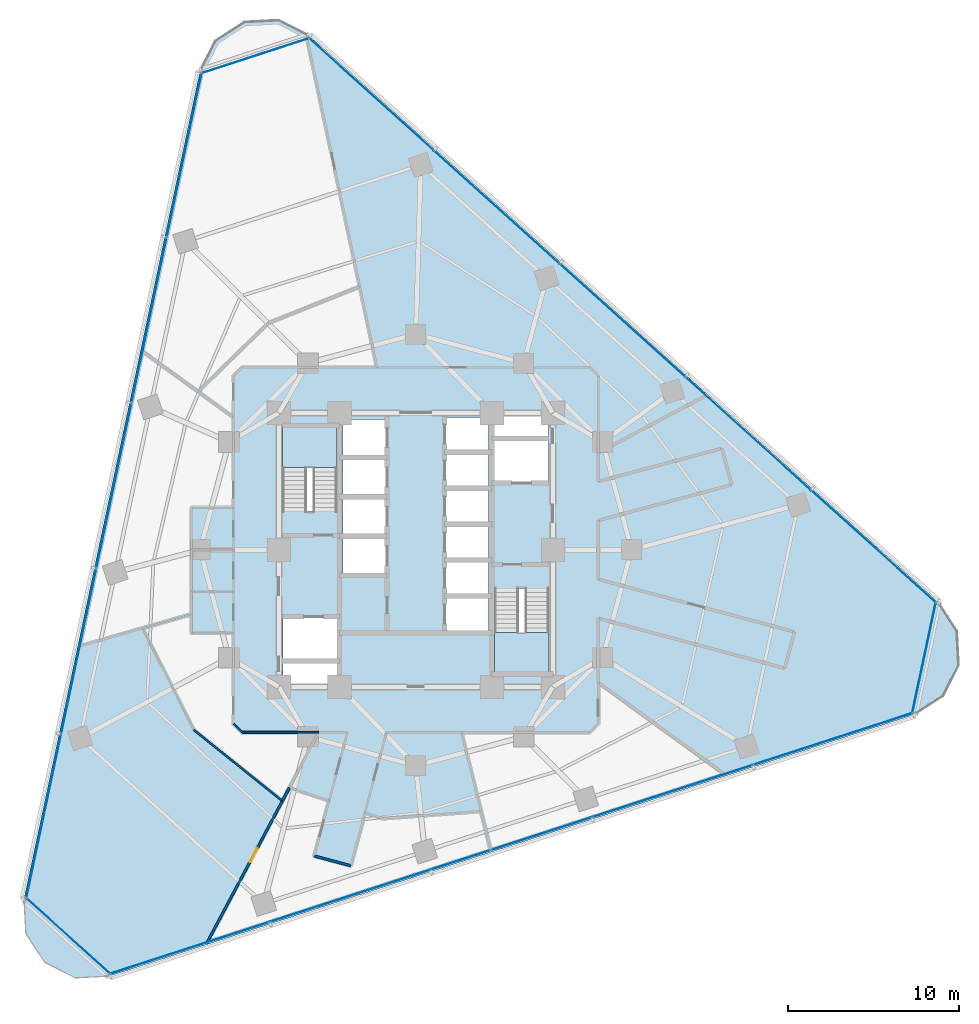
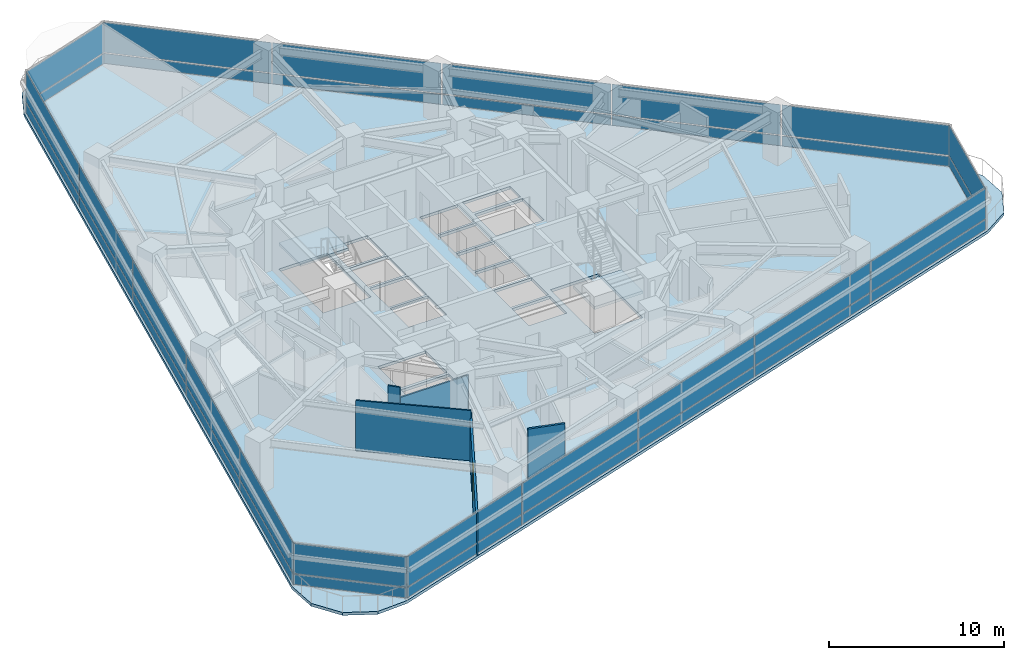
# One storey, part 6 of 13: 36 plates, 6 walls, 3 slabs, 1 door, 1 opening, 8 elements without a shape of their own.
"""IFC4 building model written with IfcOpenShell, lengths in metres."""

from ifc_helpers import new_model, si_unit, direction, frame, frame_2d, origin, origin_2d, place, context, subcontext, project, spatial, polyline, rectangle, outline, extrude, material, layer, layer_set, type_object, element, fill, aggregate, save


model = new_model("IFC4")

# Units and contexts
model_context = context("Model", 3, precision=1e-05, world=origin(), true_north=direction((0.0, 1.0)))
body_context = subcontext(model_context, "Body", "Model", "MODEL_VIEW")
ifc_project = project(units=[si_unit("LENGTHUNIT", "METRE"), si_unit("AREAUNIT", "SQUARE_METRE"), si_unit("VOLUMEUNIT", "CUBIC_METRE"), si_unit("PLANEANGLEUNIT", "RADIAN"), si_unit("MASSUNIT", "GRAM", prefix="KILO")], contexts=[model_context])

# Site, building, storey
site_placement = place(None, origin())
site = spatial("IfcSite", under=ifc_project, at=site_placement, CompositionType="ELEMENT")
building_placement = place(site_placement, origin())
building = spatial("IfcBuilding", under=site, at=building_placement, Name="Terralouvre Media Tower", CompositionType="ELEMENT")
storey_placement = place(building_placement, frame((0.0, 0.0, 90.300048828125)))
storey = spatial("IfcBuildingStorey", under=building, at=storey_placement, Name="L22", CompositionType="ELEMENT", Elevation=90.300048828125)

# Slab
ifc_material_1 = material(Name="Concrete C40/50", Category="concrete")
ifc_layer_1 = layer(ifc_material_1, 0.199951171875, Name="Composite Tower Floor Slab S-TYP200")
ifc_layer_set_1 = layer_set([ifc_layer_1], Name="Concrete C40/50")
slab_type_1 = type_object("IfcSlabType", Name="Composite Tower Floor Slab S-TYP200", PredefinedType="FLOOR", material=ifc_layer_set_1)
slab_1_placement = place(storey_placement, frame((0.0, 0.0, -0.199951171875), z_axis=(0.0, 0.0, 1.0), x_axis=(0.951056516295, 0.309016994375, 0.0)))
element("IfcSlab", 1, at=slab_1_placement, inside=storey, type_object=slab_type_1, Name="L22 Structural Floor Slab", PredefinedType="FLOOR", context=body_context, shape_type="SweptSolid", body=[
    extrude(outline(polyline([(-28.080078125, -12.33203125), (-28.60009765625, -14.272216796875), (-28.080078125, -16.212158203125), (-26.659912109375, -17.63232421875), (-24.719970703125, -18.152099609375), (24.719970703125, -18.152099609375), (26.659912109375, -17.63232421875), (28.080078125, -16.212158203125), (28.60009765625, -14.272216796875), (28.080078125, -12.33203125), (3.360107421875, 30.484130859375), (1.93994140625, 31.904296875), (0.0, 32.424072265625), (-1.93994140625, 31.904296875), (-3.360107421875, 30.484130859375), (-28.080078125, -12.33203125)]), holes=[polyline([(-6.78515625, -5.996826171875), (-9.781005859375, -5.0234375), (-9.41015625, -3.882080078125), (-6.414306640625, -4.85546875), (-6.78515625, -5.996826171875)]), polyline([(-6.3525390625, -4.665283203125), (-9.348388671875, -3.69189453125), (-8.59130859375, -1.36181640625), (-5.595458984375, -2.335205078125), (-6.3525390625, -4.665283203125)]), polyline([(-2.103271484375, -0.809814453125), (-4.480712890625, -0.037109375), (-3.819580078125, 1.998046875), (-1.44189453125, 1.2255859375), (-2.103271484375, -0.809814453125)]), polyline([(-1.392333984375, 1.377685546875), (-3.77001953125, 2.150146484375), (-3.108642578125, 4.185546875), (-0.731201171875, 3.4130859375), (-1.392333984375, 1.377685546875)]), polyline([(4.5302734375, 0.189453125), (2.152587890625, 0.9619140625), (2.752197265625, 2.806884765625), (5.129638671875, 2.034423828125), (4.5302734375, 0.189453125)]), polyline([(-0.681640625, 3.565185546875), (-3.059326171875, 4.337646484375), (-2.39794921875, 6.373046875), (-0.020263671875, 5.600341796875), (-0.681640625, 3.565185546875)]), polyline([(-3.68115234375, 3.556640625), (-6.70556640625, 4.539306640625), (-5.15576171875, 9.308837890625), (-2.13134765625, 8.326171875), (-3.68115234375, 3.556640625)]), polyline([(0.029052734375, 5.752685546875), (-2.3486328125, 6.525146484375), (-1.687255859375, 8.560302734375), (0.6904296875, 7.787841796875), (0.029052734375, 5.752685546875)]), polyline([(3.68115234375, -3.556640625), (6.70556640625, -4.539306640625), (5.15576171875, -9.308837890625), (2.13134765625, -8.326171875), (3.68115234375, -3.556640625)]), polyline([(2.58349609375, -5.80224609375), (0.205810546875, -5.02978515625), (0.80517578125, -3.184814453125), (3.182861328125, -3.957275390625), (2.58349609375, -5.80224609375)]), polyline([(3.232421875, -3.80517578125), (0.854736328125, -3.032470703125), (1.4541015625, -1.1875), (3.831787109375, -1.9599609375), (3.232421875, -3.80517578125)]), polyline([(3.88134765625, -1.807861328125), (1.503662109375, -1.035400390625), (2.103271484375, 0.809814453125), (4.480712890625, 0.037109375), (3.88134765625, -1.807861328125)]), polyline([(5.17919921875, 2.1865234375), (2.801513671875, 2.959228515625), (3.401123046875, 4.80419921875), (5.778564453125, 4.031494140625), (5.17919921875, 2.1865234375)]), polyline([(8.59130859375, 1.36181640625), (5.595458984375, 2.335205078125), (6.3525390625, 4.665283203125), (9.348388671875, 3.69189453125), (8.59130859375, 1.36181640625)]), polyline([(5.828125, 4.183837890625), (3.450439453125, 4.956298828125), (4.050048828125, 6.80126953125), (6.427490234375, 6.02880859375), (5.828125, 4.183837890625)]), polyline([(9.41015625, 3.882080078125), (6.414306640625, 4.85546875), (6.78515625, 5.996826171875), (9.781005859375, 5.0234375), (9.41015625, 3.882080078125)])]), origin(), (0.0, 0.0, 1.0), 0.199951171875),
])

# Stair, slab
ifc_material_2 = material(Name="Concrete C45/55", Category="concrete")
stair_type_1 = type_object("IfcStairType", Name="Dogleg Stair Assembly ST-01", PredefinedType="HALF_TURN_STAIR", material=ifc_material_2)
stair_1_placement = place(storey_placement, origin())
stair_1 = element("IfcStair", 2, at=stair_1_placement, inside=storey, type_object=stair_type_1, Name="L22 Core Pressurised Exit Stair ST-01", PredefinedType="HALF_TURN_STAIR")
ifc_material_3 = material(Name="Concrete C45/55", Category="concrete")
ifc_layer_2 = layer(ifc_material_3, 0.199951171875, Name="Reinforced Concrete Stair Half-Landing SL-LD1")
ifc_layer_set_2 = layer_set([ifc_layer_2], Name="Concrete C45/55")
slab_type_2 = type_object("IfcSlabType", Name="Reinforced Concrete Stair Half-Landing SL-LD1", PredefinedType="LANDING", material=ifc_layer_set_2)
slab_2_placement = place(storey_placement, frame((0.0, 0.0, 1.64990234375)))
slab_2 = element("IfcSlab", 3, at=slab_2_placement, type_object=slab_type_2, Name="ST-01 landing 1", PredefinedType="LANDING", context=body_context, shape_type="SweptSolid", body=[
    extrude(outline(polyline([(-4.60009765625, 4.820068359375), (-4.60009765625, 7.260009765625), (-7.780029296875, 7.260009765625), (-7.780029296875, 4.820068359375), (-4.60009765625, 4.820068359375)])), origin(), (0.0, 0.0, 1.0), 0.199951171875),
])
aggregate(stair_1, [slab_2])

ifc_material_4 = material(Name="Concrete C45/55", Category="concrete")
stair_type_2 = type_object("IfcStairType", Name="Dogleg Stair Assembly ST-02", PredefinedType="HALF_TURN_STAIR", material=ifc_material_4)
stair_2_placement = place(storey_placement, origin())
stair_2 = element("IfcStair", 4, at=stair_2_placement, inside=storey, type_object=stair_type_2, Name="L22 Core Pressurised Exit Stair ST-02", PredefinedType="HALF_TURN_STAIR")
slab_3_placement = place(storey_placement, frame((0.0, 0.0, 1.64990234375)))
slab_3 = element("IfcSlab", 5, at=slab_3_placement, type_object=slab_type_2, Name="ST-02 landing 1", PredefinedType="LANDING", context=body_context, shape_type="SweptSolid", body=[
    extrude(outline(polyline([(4.60009765625, -4.820068359375), (4.60009765625, -7.260009765625), (7.780029296875, -7.260009765625), (7.780029296875, -4.820068359375), (4.60009765625, -4.820068359375)])), origin(), (0.0, 0.0, 1.0), 0.199951171875),
])
aggregate(stair_2, [slab_3])

# Curtain wall, plates
ifc_material_5 = material(Name="Low-iron laminated double glazing with solar-control coating", Category="glass")
ifc_layer_3 = layer(ifc_material_5, 0.1650390625, Name="Rounded Wind-Corner Curved Glazing CW-04")
ifc_layer_set_3 = layer_set([ifc_layer_3], Name="Low-iron laminated double glazing with solar-control coating")
curtain_wall_type_1 = type_object("IfcCurtainWallType", Name="Rounded Wind-Corner Curved Glazing CW-04", PredefinedType="NOTDEFINED", material=ifc_layer_set_3)
curtain_wall_1_placement = place(storey_placement, origin())
curtain_wall_1 = element("IfcCurtainWall", 6, at=curtain_wall_1_placement, inside=storey, type_object=curtain_wall_type_1, Name="L22 Rounded Wind-Corner Curtain Wall C0", PredefinedType="NOTDEFINED")
ifc_material_6 = material(Name="Low-iron laminated double glazing with solar-control coating", Category="glass")
ifc_layer_4 = layer(ifc_material_6, 0.0400390625, Name="Rounded Corner Laminated Vision Panel CWP-03")
ifc_layer_set_4 = layer_set([ifc_layer_4], Name="Low-iron laminated double glazing with solar-control coating")
plate_type_1 = type_object("IfcPlateType", Name="Rounded Corner Laminated Vision Panel CWP-03", PredefinedType="CURTAIN_PANEL", material=ifc_layer_set_4)
plate_1_placement = place(storey_placement, frame((-20.30419921875, -22.550048828125, 0.074951171875), z_axis=(0.0, 0.0, 1.0), x_axis=(0.743144668471, -0.669130780732, 0.0)))
plate_1 = element("IfcPlate", 7, at=plate_1_placement, type_object=plate_type_1, Name="CW-04 panel 1.1", PredefinedType="CURTAIN_PANEL", context=body_context, shape_type="SweptSolid", body=[
    extrude(rectangle(XDim=6.5703125, YDim=0.035888671875, at=origin_2d()), origin(), (0.0, 0.0, 1.0), 0.6875),
])
plate_2_placement = place(storey_placement, frame((-20.30419921875, -22.550048828125, 0.83740234375), z_axis=(0.0, 0.0, 1.0), x_axis=(0.743144668471, -0.669130780732, 0.0)))
plate_2 = element("IfcPlate", 8, at=plate_2_placement, type_object=plate_type_1, Name="CW-04 panel 1.2", PredefinedType="CURTAIN_PANEL", context=body_context, shape_type="SweptSolid", body=[
    extrude(rectangle(XDim=6.5703125, YDim=0.035888671875, at=origin_2d()), origin(), (0.0, 0.0, 1.0), 2.08740234375),
])
aggregate(curtain_wall_1, [plate_1, plate_2])

curtain_wall_2_placement = place(storey_placement, origin())
curtain_wall_2 = element("IfcCurtainWall", 9, at=curtain_wall_2_placement, inside=storey, type_object=curtain_wall_type_1, Name="L22 Rounded Wind-Corner Curtain Wall C1", PredefinedType="NOTDEFINED")
plate_3_placement = place(storey_placement, frame((29.68115234375, -6.308837890625, 0.074951171875), z_axis=(0.0, 0.0, 1.0), x_axis=(0.207911611348, 0.978147617626, 0.0)))
plate_3 = element("IfcPlate", 10, at=plate_3_placement, type_object=plate_type_1, Name="CW-04 panel 1.1", PredefinedType="CURTAIN_PANEL", context=body_context, shape_type="SweptSolid", body=[
    extrude(rectangle(XDim=6.5703125, YDim=0.035888671875, at=origin_2d()), origin(), (0.0, 0.0, 1.0), 0.6875),
])
plate_4_placement = place(storey_placement, frame((29.68115234375, -6.308837890625, 0.83740234375), z_axis=(0.0, 0.0, 1.0), x_axis=(0.207911611348, 0.978147617626, 0.0)))
plate_4 = element("IfcPlate", 11, at=plate_4_placement, type_object=plate_type_1, Name="CW-04 panel 1.2", PredefinedType="CURTAIN_PANEL", context=body_context, shape_type="SweptSolid", body=[
    extrude(rectangle(XDim=6.5703125, YDim=0.035888671875, at=origin_2d()), origin(), (0.0, 0.0, 1.0), 2.08740234375),
])
aggregate(curtain_wall_2, [plate_3, plate_4])

curtain_wall_3_placement = place(storey_placement, origin())
curtain_wall_3 = element("IfcCurtainWall", 12, at=curtain_wall_3_placement, inside=storey, type_object=curtain_wall_type_1, Name="L22 Rounded Wind-Corner Curtain Wall C2", PredefinedType="NOTDEFINED")
plate_5_placement = place(storey_placement, frame((-9.376953125, 28.859130859375, 0.074951171875), z_axis=(0.0, 0.0, 1.0), x_axis=(-0.951056286408, -0.309017701894, 0.0)))
plate_5 = element("IfcPlate", 13, at=plate_5_placement, type_object=plate_type_1, Name="CW-04 panel 1.1", PredefinedType="CURTAIN_PANEL", context=body_context, shape_type="SweptSolid", body=[
    extrude(rectangle(XDim=6.5703125, YDim=0.035888671875, at=origin_2d()), origin(), (0.0, 0.0, 1.0), 0.6875),
])
plate_6_placement = place(storey_placement, frame((-9.376953125, 28.859130859375, 0.83740234375), z_axis=(0.0, 0.0, 1.0), x_axis=(-0.951056286408, -0.309017701894, 0.0)))
plate_6 = element("IfcPlate", 14, at=plate_6_placement, type_object=plate_type_1, Name="CW-04 panel 1.2", PredefinedType="CURTAIN_PANEL", context=body_context, shape_type="SweptSolid", body=[
    extrude(rectangle(XDim=6.5703125, YDim=0.035888671875, at=origin_2d()), origin(), (0.0, 0.0, 1.0), 2.08740234375),
])
aggregate(curtain_wall_3, [plate_5, plate_6])

ifc_material_7 = material(Name="Low-iron laminated double glazing with solar-control coating", Category="glass")
ifc_layer_5 = layer(ifc_material_7, 0.1650390625, Name="Lower Media Tower Unitised Curtain Wall CW-02")
ifc_layer_set_5 = layer_set([ifc_layer_5], Name="Low-iron laminated double glazing with solar-control coating")
curtain_wall_type_2 = type_object("IfcCurtainWallType", Name="Lower Media Tower Unitised Curtain Wall CW-02", PredefinedType="NOTDEFINED", material=ifc_layer_set_5)
curtain_wall_4_placement = place(storey_placement, origin())
curtain_wall_4 = element("IfcCurtainWall", 15, at=curtain_wall_4_placement, inside=storey, type_object=curtain_wall_type_2, Name="L22 Facade Curtain Wall F0", PredefinedType="NOTDEFINED")
ifc_material_8 = material(Name="Low-iron laminated double glazing with solar-control coating", Category="glass")
ifc_layer_6 = layer(ifc_material_8, 0.035888671875, Name="Vision Double-Glazed Unit CWP-01")
ifc_layer_set_6 = layer_set([ifc_layer_6], Name="Low-iron laminated double glazing with solar-control coating")
plate_type_2 = type_object("IfcPlateType", Name="Vision Double-Glazed Unit CWP-01", PredefinedType="CURTAIN_PANEL", material=ifc_layer_set_6)
plate_7_placement = place(storey_placement, frame((-13.218017578125, -23.2548828125, 0.074951171875), z_axis=(0.0, 0.0, 1.0), x_axis=(0.951056509451, 0.309017015439, 0.0)))
plate_7 = element("IfcPlate", 16, at=plate_7_placement, type_object=plate_type_2, Name="CW-02 panel 1.1", PredefinedType="CURTAIN_PANEL", context=body_context, shape_type="SweptSolid", body=[
    extrude(rectangle(XDim=9.775390625, YDim=0.035888671875, at=origin_2d()), origin(), (0.0, 0.0, 1.0), 0.6875),
])
plate_8_placement = place(storey_placement, frame((-13.218017578125, -23.2548828125, 0.83740234375), z_axis=(0.0, 0.0, 1.0), x_axis=(0.951056509451, 0.309017015439, 0.0)))
plate_8 = element("IfcPlate", 17, at=plate_8_placement, type_object=plate_type_2, Name="CW-02 panel 1.2", PredefinedType="CURTAIN_PANEL", context=body_context, shape_type="SweptSolid", body=[
    extrude(rectangle(XDim=9.775390625, YDim=0.035888671875, at=origin_2d()), origin(), (0.0, 0.0, 1.0), 2.08740234375),
])
plate_9_placement = place(storey_placement, frame((-3.831787109375, -20.205078125, 0.074951171875), z_axis=(0.0, 0.0, 1.0), x_axis=(0.951056509451, 0.309017015439, 0.0)))
plate_9 = element("IfcPlate", 18, at=plate_9_placement, type_object=plate_type_2, Name="CW-02 panel 2.1", PredefinedType="CURTAIN_PANEL", context=body_context, shape_type="SweptSolid", body=[
    extrude(rectangle(XDim=9.81298828125, YDim=0.035888671875, at=origin_2d()), origin(), (0.0, 0.0, 1.0), 0.6875),
])
plate_10_placement = place(storey_placement, frame((-3.831787109375, -20.205078125, 0.83740234375), z_axis=(0.0, 0.0, 1.0), x_axis=(0.951056509451, 0.309017015439, 0.0)))
plate_10 = element("IfcPlate", 19, at=plate_10_placement, type_object=plate_type_2, Name="CW-02 panel 2.2", PredefinedType="CURTAIN_PANEL", context=body_context, shape_type="SweptSolid", body=[
    extrude(rectangle(XDim=9.81298828125, YDim=0.035888671875, at=origin_2d()), origin(), (0.0, 0.0, 1.0), 2.08740234375),
])
plate_11_placement = place(storey_placement, frame((5.572265625, -17.149658203125, 0.074951171875), z_axis=(0.0, 0.0, 1.0), x_axis=(0.951056509451, 0.309017015439, 0.0)))
plate_11 = element("IfcPlate", 20, at=plate_11_placement, type_object=plate_type_2, Name="CW-02 panel 3.1", PredefinedType="CURTAIN_PANEL", context=body_context, shape_type="SweptSolid", body=[
    extrude(rectangle(XDim=9.81298828125, YDim=0.035888671875, at=origin_2d()), origin(), (0.0, 0.0, 1.0), 0.6875),
])
plate_12_placement = place(storey_placement, frame((5.572265625, -17.149658203125, 0.83740234375), z_axis=(0.0, 0.0, 1.0), x_axis=(0.951056509451, 0.309017015439, 0.0)))
plate_12 = element("IfcPlate", 21, at=plate_12_placement, type_object=plate_type_2, Name="CW-02 panel 3.2", PredefinedType="CURTAIN_PANEL", context=body_context, shape_type="SweptSolid", body=[
    extrude(rectangle(XDim=9.81298828125, YDim=0.035888671875, at=origin_2d()), origin(), (0.0, 0.0, 1.0), 2.08740234375),
])
plate_13_placement = place(storey_placement, frame((14.976318359375, -14.093994140625, 0.074951171875), z_axis=(0.0, 0.0, 1.0), x_axis=(0.951056509451, 0.309017015439, 0.0)))
plate_13 = element("IfcPlate", 22, at=plate_13_placement, type_object=plate_type_2, Name="CW-02 panel 4.1", PredefinedType="CURTAIN_PANEL", context=body_context, shape_type="SweptSolid", body=[
    extrude(rectangle(XDim=9.81298828125, YDim=0.035888671875, at=origin_2d()), origin(), (0.0, 0.0, 1.0), 0.6875),
])
plate_14_placement = place(storey_placement, frame((14.976318359375, -14.093994140625, 0.83740234375), z_axis=(0.0, 0.0, 1.0), x_axis=(0.951056509451, 0.309017015439, 0.0)))
plate_14 = element("IfcPlate", 23, at=plate_14_placement, type_object=plate_type_2, Name="CW-02 panel 4.2", PredefinedType="CURTAIN_PANEL", context=body_context, shape_type="SweptSolid", body=[
    extrude(rectangle(XDim=9.81298828125, YDim=0.035888671875, at=origin_2d()), origin(), (0.0, 0.0, 1.0), 2.08740234375),
])
plate_15_placement = place(storey_placement, frame((24.362548828125, -11.044189453125, 0.074951171875), z_axis=(0.0, 0.0, 1.0), x_axis=(0.951056509451, 0.309017015439, 0.0)))
plate_15 = element("IfcPlate", 24, at=plate_15_placement, type_object=plate_type_2, Name="CW-02 panel 5.1", PredefinedType="CURTAIN_PANEL", context=body_context, shape_type="SweptSolid", body=[
    extrude(rectangle(XDim=9.775390625, YDim=0.035888671875, at=origin_2d()), origin(), (0.0, 0.0, 1.0), 0.6875),
])
plate_16_placement = place(storey_placement, frame((24.362548828125, -11.044189453125, 0.83740234375), z_axis=(0.0, 0.0, 1.0), x_axis=(0.951056509451, 0.309017015439, 0.0)))
plate_16 = element("IfcPlate", 25, at=plate_16_placement, type_object=plate_type_2, Name="CW-02 panel 5.2", PredefinedType="CURTAIN_PANEL", context=body_context, shape_type="SweptSolid", body=[
    extrude(rectangle(XDim=9.775390625, YDim=0.035888671875, at=origin_2d()), origin(), (0.0, 0.0, 1.0), 2.08740234375),
])
aggregate(curtain_wall_4, [plate_7, plate_8, plate_9, plate_10, plate_11, plate_12, plate_13, plate_14, plate_15, plate_16])

curtain_wall_5_placement = place(storey_placement, origin())
curtain_wall_5 = element("IfcCurtainWall", 26, at=curtain_wall_5_placement, inside=storey, type_object=curtain_wall_type_2, Name="L22 Facade Curtain Wall F1", PredefinedType="NOTDEFINED")
plate_17_placement = place(storey_placement, frame((26.748291015625, 0.18017578125, 0.074951171875), z_axis=(0.0, 0.0, 1.0), x_axis=(-0.743144795545, 0.669130639602, 0.0)))
plate_17 = element("IfcPlate", 27, at=plate_17_placement, type_object=plate_type_2, Name="CW-02 panel 1.1", PredefinedType="CURTAIN_PANEL", context=body_context, shape_type="SweptSolid", body=[
    extrude(rectangle(XDim=9.775390625, YDim=0.035888671875, at=origin_2d()), origin(), (0.0, 0.0, 1.0), 0.6875),
])
plate_18_placement = place(storey_placement, frame((26.748291015625, 0.18017578125, 0.83740234375), z_axis=(0.0, 0.0, 1.0), x_axis=(-0.743144795545, 0.669130639602, 0.0)))
plate_18 = element("IfcPlate", 28, at=plate_18_placement, type_object=plate_type_2, Name="CW-02 panel 1.2", PredefinedType="CURTAIN_PANEL", context=body_context, shape_type="SweptSolid", body=[
    extrude(rectangle(XDim=9.775390625, YDim=0.035888671875, at=origin_2d()), origin(), (0.0, 0.0, 1.0), 2.08740234375),
])
plate_19_placement = place(storey_placement, frame((19.4140625, 6.7841796875, 0.074951171875), z_axis=(0.0, 0.0, 1.0), x_axis=(-0.743144795545, 0.669130639602, 0.0)))
plate_19 = element("IfcPlate", 29, at=plate_19_placement, type_object=plate_type_2, Name="CW-02 panel 2.1", PredefinedType="CURTAIN_PANEL", context=body_context, shape_type="SweptSolid", body=[
    extrude(rectangle(XDim=9.81298828125, YDim=0.035888671875, at=origin_2d()), origin(), (0.0, 0.0, 1.0), 0.6875),
])
plate_20_placement = place(storey_placement, frame((19.4140625, 6.7841796875, 0.83740234375), z_axis=(0.0, 0.0, 1.0), x_axis=(-0.743144795545, 0.669130639602, 0.0)))
plate_20 = element("IfcPlate", 30, at=plate_20_placement, type_object=plate_type_2, Name="CW-02 panel 2.2", PredefinedType="CURTAIN_PANEL", context=body_context, shape_type="SweptSolid", body=[
    extrude(rectangle(XDim=9.81298828125, YDim=0.035888671875, at=origin_2d()), origin(), (0.0, 0.0, 1.0), 2.08740234375),
])
plate_21_placement = place(storey_placement, frame((12.06591796875, 13.400390625, 0.074951171875), z_axis=(0.0, 0.0, 1.0), x_axis=(-0.743144795545, 0.669130639602, 0.0)))
plate_21 = element("IfcPlate", 31, at=plate_21_placement, type_object=plate_type_2, Name="CW-02 panel 3.1", PredefinedType="CURTAIN_PANEL", context=body_context, shape_type="SweptSolid", body=[
    extrude(rectangle(XDim=9.81298828125, YDim=0.035888671875, at=origin_2d()), origin(), (0.0, 0.0, 1.0), 0.6875),
])
plate_22_placement = place(storey_placement, frame((12.06591796875, 13.400390625, 0.83740234375), z_axis=(0.0, 0.0, 1.0), x_axis=(-0.743144795545, 0.669130639602, 0.0)))
plate_22 = element("IfcPlate", 32, at=plate_22_placement, type_object=plate_type_2, Name="CW-02 panel 3.2", PredefinedType="CURTAIN_PANEL", context=body_context, shape_type="SweptSolid", body=[
    extrude(rectangle(XDim=9.81298828125, YDim=0.035888671875, at=origin_2d()), origin(), (0.0, 0.0, 1.0), 2.08740234375),
])
plate_23_placement = place(storey_placement, frame((4.717529296875, 20.016845703125, 0.074951171875), z_axis=(0.0, 0.0, 1.0), x_axis=(-0.743144795545, 0.669130639602, 0.0)))
plate_23 = element("IfcPlate", 33, at=plate_23_placement, type_object=plate_type_2, Name="CW-02 panel 4.1", PredefinedType="CURTAIN_PANEL", context=body_context, shape_type="SweptSolid", body=[
    extrude(rectangle(XDim=9.81298828125, YDim=0.035888671875, at=origin_2d()), origin(), (0.0, 0.0, 1.0), 0.6875),
])
plate_24_placement = place(storey_placement, frame((4.717529296875, 20.016845703125, 0.83740234375), z_axis=(0.0, 0.0, 1.0), x_axis=(-0.743144795545, 0.669130639602, 0.0)))
plate_24 = element("IfcPlate", 34, at=plate_24_placement, type_object=plate_type_2, Name="CW-02 panel 4.2", PredefinedType="CURTAIN_PANEL", context=body_context, shape_type="SweptSolid", body=[
    extrude(rectangle(XDim=9.81298828125, YDim=0.035888671875, at=origin_2d()), origin(), (0.0, 0.0, 1.0), 2.08740234375),
])
plate_25_placement = place(storey_placement, frame((-2.61669921875, 26.62060546875, 0.074951171875), z_axis=(0.0, 0.0, 1.0), x_axis=(-0.743144795545, 0.669130639602, 0.0)))
plate_25 = element("IfcPlate", 35, at=plate_25_placement, type_object=plate_type_2, Name="CW-02 panel 5.1", PredefinedType="CURTAIN_PANEL", context=body_context, shape_type="SweptSolid", body=[
    extrude(rectangle(XDim=9.775390625, YDim=0.035888671875, at=origin_2d()), origin(), (0.0, 0.0, 1.0), 0.6875),
])
plate_26_placement = place(storey_placement, frame((-2.61669921875, 26.62060546875, 0.83740234375), z_axis=(0.0, 0.0, 1.0), x_axis=(-0.743144795545, 0.669130639602, 0.0)))
plate_26 = element("IfcPlate", 36, at=plate_26_placement, type_object=plate_type_2, Name="CW-02 panel 5.2", PredefinedType="CURTAIN_PANEL", context=body_context, shape_type="SweptSolid", body=[
    extrude(rectangle(XDim=9.775390625, YDim=0.035888671875, at=origin_2d()), origin(), (0.0, 0.0, 1.0), 2.08740234375),
])
aggregate(curtain_wall_5, [plate_17, plate_18, plate_19, plate_20, plate_21, plate_22, plate_23, plate_24, plate_25, plate_26])

curtain_wall_6_placement = place(storey_placement, origin())
curtain_wall_6 = element("IfcCurtainWall", 37, at=curtain_wall_6_placement, inside=storey, type_object=curtain_wall_type_2, Name="L22 Facade Curtain Wall F2", PredefinedType="NOTDEFINED")
plate_27_placement = place(storey_placement, frame((-13.5302734375, 23.07470703125, 0.074951171875), z_axis=(0.0, 0.0, 1.0), x_axis=(-0.207911643887, -0.978147610709, 0.0)))
plate_27 = element("IfcPlate", 38, at=plate_27_placement, type_object=plate_type_2, Name="CW-02 panel 1.1", PredefinedType="CURTAIN_PANEL", context=body_context, shape_type="SweptSolid", body=[
    extrude(rectangle(XDim=9.775390625, YDim=0.035888671875, at=origin_2d()), origin(), (0.0, 0.0, 1.0), 0.6875),
])
plate_28_placement = place(storey_placement, frame((-13.5302734375, 23.07470703125, 0.83740234375), z_axis=(0.0, 0.0, 1.0), x_axis=(-0.207911643887, -0.978147610709, 0.0)))
plate_28 = element("IfcPlate", 39, at=plate_28_placement, type_object=plate_type_2, Name="CW-02 panel 1.2", PredefinedType="CURTAIN_PANEL", context=body_context, shape_type="SweptSolid", body=[
    extrude(rectangle(XDim=9.775390625, YDim=0.035888671875, at=origin_2d()), origin(), (0.0, 0.0, 1.0), 2.08740234375),
])
plate_29_placement = place(storey_placement, frame((-15.582275390625, 13.4208984375, 0.074951171875), z_axis=(0.0, 0.0, 1.0), x_axis=(-0.207911643887, -0.978147610709, 0.0)))
plate_29 = element("IfcPlate", 40, at=plate_29_placement, type_object=plate_type_2, Name="CW-02 panel 2.1", PredefinedType="CURTAIN_PANEL", context=body_context, shape_type="SweptSolid", body=[
    extrude(rectangle(XDim=9.81298828125, YDim=0.035888671875, at=origin_2d()), origin(), (0.0, 0.0, 1.0), 0.6875),
])
plate_30_placement = place(storey_placement, frame((-15.582275390625, 13.4208984375, 0.83740234375), z_axis=(0.0, 0.0, 1.0), x_axis=(-0.207911643887, -0.978147610709, 0.0)))
plate_30 = element("IfcPlate", 41, at=plate_30_placement, type_object=plate_type_2, Name="CW-02 panel 2.2", PredefinedType="CURTAIN_PANEL", context=body_context, shape_type="SweptSolid", body=[
    extrude(rectangle(XDim=9.81298828125, YDim=0.035888671875, at=origin_2d()), origin(), (0.0, 0.0, 1.0), 2.08740234375),
])
plate_31_placement = place(storey_placement, frame((-17.637939453125, 3.7490234375, 0.074951171875), z_axis=(0.0, 0.0, 1.0), x_axis=(-0.207911643887, -0.978147610709, 0.0)))
plate_31 = element("IfcPlate", 42, at=plate_31_placement, type_object=plate_type_2, Name="CW-02 panel 3.1", PredefinedType="CURTAIN_PANEL", context=body_context, shape_type="SweptSolid", body=[
    extrude(rectangle(XDim=9.81298828125, YDim=0.035888671875, at=origin_2d()), origin(), (0.0, 0.0, 1.0), 0.6875),
])
plate_32_placement = place(storey_placement, frame((-17.637939453125, 3.7490234375, 0.83740234375), z_axis=(0.0, 0.0, 1.0), x_axis=(-0.207911643887, -0.978147610709, 0.0)))
plate_32 = element("IfcPlate", 43, at=plate_32_placement, type_object=plate_type_2, Name="CW-02 panel 3.2", PredefinedType="CURTAIN_PANEL", context=body_context, shape_type="SweptSolid", body=[
    extrude(rectangle(XDim=9.81298828125, YDim=0.035888671875, at=origin_2d()), origin(), (0.0, 0.0, 1.0), 2.08740234375),
])
plate_33_placement = place(storey_placement, frame((-19.69384765625, -5.9228515625, 0.074951171875), z_axis=(0.0, 0.0, 1.0), x_axis=(-0.207911643887, -0.978147610709, 0.0)))
plate_33 = element("IfcPlate", 44, at=plate_33_placement, type_object=plate_type_2, Name="CW-02 panel 4.1", PredefinedType="CURTAIN_PANEL", context=body_context, shape_type="SweptSolid", body=[
    extrude(rectangle(XDim=9.81298828125, YDim=0.035888671875, at=origin_2d()), origin(), (0.0, 0.0, 1.0), 0.6875),
])
plate_34_placement = place(storey_placement, frame((-19.69384765625, -5.9228515625, 0.83740234375), z_axis=(0.0, 0.0, 1.0), x_axis=(-0.207911643887, -0.978147610709, 0.0)))
plate_34 = element("IfcPlate", 45, at=plate_34_placement, type_object=plate_type_2, Name="CW-02 panel 4.2", PredefinedType="CURTAIN_PANEL", context=body_context, shape_type="SweptSolid", body=[
    extrude(rectangle(XDim=9.81298828125, YDim=0.035888671875, at=origin_2d()), origin(), (0.0, 0.0, 1.0), 2.08740234375),
])
plate_35_placement = place(storey_placement, frame((-21.745849609375, -15.576416015625, 0.074951171875), z_axis=(0.0, 0.0, 1.0), x_axis=(-0.207911643887, -0.978147610709, 0.0)))
plate_35 = element("IfcPlate", 46, at=plate_35_placement, type_object=plate_type_2, Name="CW-02 panel 5.1", PredefinedType="CURTAIN_PANEL", context=body_context, shape_type="SweptSolid", body=[
    extrude(rectangle(XDim=9.775390625, YDim=0.035888671875, at=origin_2d()), origin(), (0.0, 0.0, 1.0), 0.6875),
])
plate_36_placement = place(storey_placement, frame((-21.745849609375, -15.576416015625, 0.83740234375), z_axis=(0.0, 0.0, 1.0), x_axis=(-0.207911643887, -0.978147610709, 0.0)))
plate_36 = element("IfcPlate", 47, at=plate_36_placement, type_object=plate_type_2, Name="CW-02 panel 5.2", PredefinedType="CURTAIN_PANEL", context=body_context, shape_type="SweptSolid", body=[
    extrude(rectangle(XDim=9.775390625, YDim=0.035888671875, at=origin_2d()), origin(), (0.0, 0.0, 1.0), 2.08740234375),
])
aggregate(curtain_wall_6, [plate_27, plate_28, plate_29, plate_30, plate_31, plate_32, plate_33, plate_34, plate_35, plate_36])

# Walls
ifc_material_9 = material(Name="Low-iron laminated double glazing with solar-control coating", Category="glass")
ifc_layer_7 = layer(ifc_material_9, 0.10009765625, Name="Demountable Glazed Office Partition PT-GL100")
ifc_layer_set_7 = layer_set([ifc_layer_7], Name="Low-iron laminated double glazing with solar-control coating")
wall_type_1 = type_object("IfcWallType", Name="Demountable Glazed Office Partition PT-GL100", PredefinedType="MOVABLE", material=ifc_layer_set_7)
wall_1_placement = place(storey_placement, frame((-10.64990234375, -10.14990234375, 0.0), z_axis=(0.0, 0.0, 1.0), x_axis=(0.707106781187, -0.707106781187, 0.0)))
element("IfcWall", 48, at=wall_1_placement, inside=storey, type_object=wall_type_1, Name="L22 Interior Partition 020", PredefinedType="MOVABLE", context=body_context, shape_type="SweptSolid", body=[
    extrude(rectangle(XDim=0.70703125, YDim=0.10009765625, at=frame_2d((0.353515625, 0.0))), origin(), (0.0, 0.0, 1.0), 3.5),
])
wall_2_placement = place(storey_placement, frame((-10.14990234375, -10.64990234375, 0.0), z_axis=(0.0, 0.0, 1.0), x_axis=(1.0, 0.0, 0.0)))
element("IfcWall", 49, at=wall_2_placement, inside=storey, type_object=wall_type_1, Name="L22 Interior Partition 021", PredefinedType="MOVABLE", context=body_context, shape_type="SweptSolid", body=[
    extrude(rectangle(XDim=4.48681640625, YDim=0.10009765625, at=frame_2d((2.243408203125, 0.0))), origin(), (0.0, 0.0, 1.0), 2.784912109375),
])
wall_3_placement = place(storey_placement, frame((-12.97802734375, -10.510009765625, 0.0), z_axis=(0.0, 0.0, 1.0), x_axis=(0.779852762203, -0.625962993543, 0.0)))
element("IfcWall", 50, at=wall_3_placement, inside=storey, type_object=wall_type_1, Name="L22 Interior Partition 050", PredefinedType="MOVABLE", context=body_context, shape_type="SweptSolid", body=[
    extrude(rectangle(XDim=6.640869140625, YDim=0.10009765625, at=frame_2d((3.3203125, 0.0))), origin(), (0.0, 0.0, 1.0), 3.5),
])
ifc_material_10 = material(Name="Fire-rated gypsum board drywall partition")
ifc_layer_8 = layer(ifc_material_10, 0.135009765625, Name="Newsroom Acoustic Partition PT-135")
ifc_layer_set_8 = layer_set([ifc_layer_8], Name="Fire-rated gypsum board drywall partition")
wall_type_2 = type_object("IfcWallType", Name="Newsroom Acoustic Partition PT-135", PredefinedType="PARTITIONING", material=ifc_layer_set_8)
wall_4_placement = place(storey_placement, frame((-5.927978515625, -17.875, 0.0), z_axis=(0.0, 0.0, 1.0), x_axis=(0.965959937537, -0.258691706618, 0.0)))
element("IfcWall", 51, at=wall_4_placement, inside=storey, type_object=wall_type_2, Name="L22 Interior Partition 013", PredefinedType="PARTITIONING", context=body_context, shape_type="SweptSolid", body=[
    extrude(rectangle(XDim=2.199951171875, YDim=0.135009765625, at=frame_2d((1.10009765625, 0.0))), origin(), (0.0, 0.0, 1.0), 3.5),
])
wall_5_placement = place(storey_placement, frame((-7.382080078125, -13.883056640625, 0.0), z_axis=(0.0, 0.0, 1.0), x_axis=(-0.469617532863, -0.882869963714, 0.0)))
element("IfcWall", 52, at=wall_5_placement, inside=storey, type_object=wall_type_2, Name="L22 Interior Partition 039", PredefinedType="PARTITIONING", context=body_context, shape_type="SweptSolid", body=[
    extrude(rectangle(XDim=0.887939453125, YDim=0.135009765625, at=frame_2d((0.44384765625, 0.0))), origin(), (0.0, 0.0, 1.0), 2.784912109375),
])

# Wall, opening, door
wall_6_placement = place(storey_placement, frame((-7.799072265625, -14.6669921875, 0.0), z_axis=(0.0, 0.0, 1.0), x_axis=(-0.469441180524, -0.882963746723, 0.0)))
wall_6 = element("IfcWall", 53, at=wall_6_placement, inside=storey, type_object=wall_type_2, Name="L22 Interior Partition 040", PredefinedType="PARTITIONING", context=body_context, shape_type="SweptSolid", body=[
    extrude(rectangle(XDim=9.404296875, YDim=0.135009765625, at=frame_2d((4.7021484375, 0.0))), origin(), (0.0, 0.0, 1.0), 2.93505859375),
])
opening_placement = place(wall_6_placement, frame((3.11376953125, 0.0, 0.0)))
opening = element("IfcOpeningElement", 54, at=opening_placement, cuts=wall_6, Name="Opening ID-03-92X210", PredefinedType="OPENING", context=body_context, shape_type="SweptSolid", body=[
    extrude(rectangle(XDim=0.919921875, YDim=2.10009765625, at=frame_2d((0.4599609375, 1.050048828125))), frame((0.0, 0.077392578125, 0.0), z_axis=(0.0, -1.0, 0.0), x_axis=(1.0, 0.0, 0.0)), (0.0, 0.0, 1.0), 0.155029296875),
])
ifc_material_11 = material(Name="Engineered hardwood acoustic timber leaf", Category="wood")
door_type = type_object("IfcDoorType", Name="Accessible Restroom and Suite Door ID-03 (920x2100)", OperationType="NOTDEFINED", PredefinedType="DOOR", material=ifc_material_11)
door_placement = place(opening_placement, origin())
door = element("IfcDoor", 55, at=door_placement, inside=storey, type_object=door_type, Name="L22 Media Ingest Storage 6 Door", OperationType="SINGLE_SWING_RIGHT", OverallHeight=2.10009765625, OverallWidth=0.919921875, PredefinedType="DOOR", context=body_context, shape_type="SweptSolid", body=[
    extrude(rectangle(XDim=0.919921875, YDim=2.10009765625, at=frame_2d((0.4599609375, 1.050048828125))), frame((0.0, 0.02490234375, 0.0), z_axis=(0.0, -1.0, 0.0), x_axis=(1.0, 0.0, 0.0)), (0.0, 0.0, 1.0), 0.050048828125),
])
fill(opening, door)

save(model, "model.ifc")
